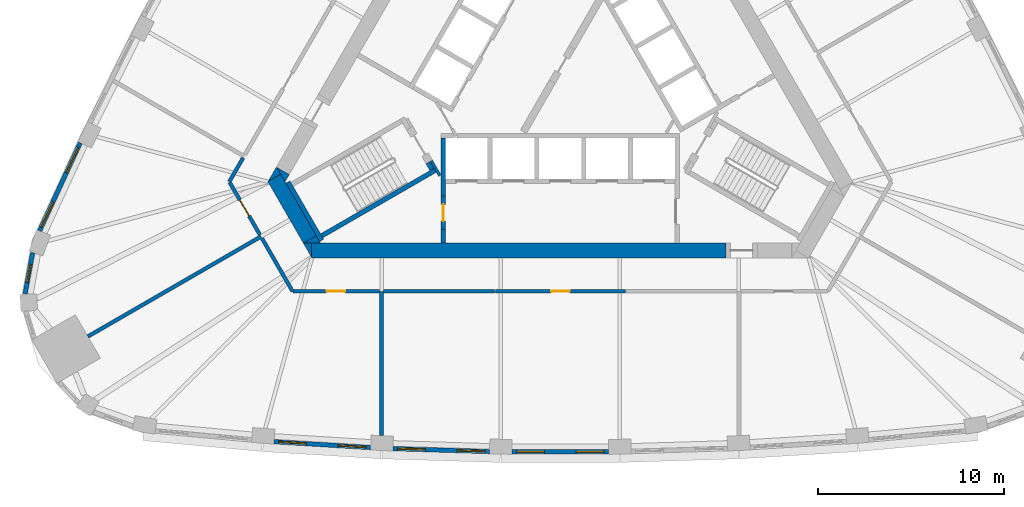
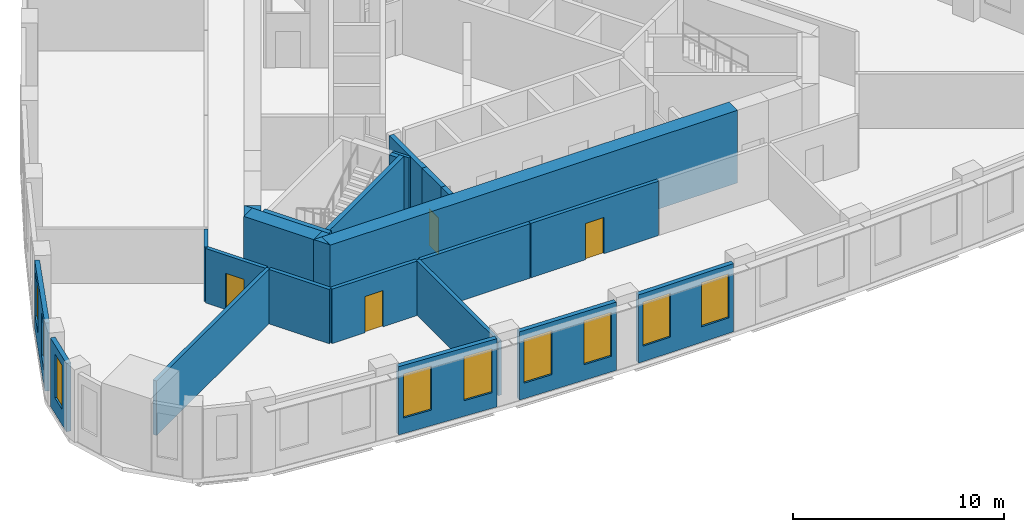
# One storey, part 3 of 9: 26 walls, 9 windows, 4 doors, 13 openings.
"""IFC4 building model written with IfcOpenShell, lengths in metres."""

from ifc_helpers import new_model, si_unit, direction, frame, frame_2d, origin, place, context, subcontext, project, spatial, polyline, rectangle, outline, extrude, material, layer, layer_set, type_object, element, fill, save


model = new_model("IFC4")

# Units and contexts
model_context = context("Model", 3, precision=1e-05, world=origin(), true_north=direction((0.0, 1.0)))
body_context = subcontext(model_context, "Body", "Model", "MODEL_VIEW")
ifc_project = project(units=[si_unit("LENGTHUNIT", "METRE"), si_unit("AREAUNIT", "SQUARE_METRE"), si_unit("VOLUMEUNIT", "CUBIC_METRE"), si_unit("PLANEANGLEUNIT", "RADIAN"), si_unit("MASSUNIT", "GRAM", prefix="KILO")], contexts=[model_context])

# Site, building, storey
site_placement = place(None, origin())
site = spatial("IfcSite", under=ifc_project, at=site_placement, CompositionType="ELEMENT")
building_placement = place(site_placement, origin())
building = spatial("IfcBuilding", under=site, at=building_placement, Name="Mestral Congress Tower", CompositionType="ELEMENT")
storey_placement = place(building_placement, frame((0.0, 0.0, 179.39990234375)))
storey = spatial("IfcBuildingStorey", under=building, at=storey_placement, Name="L42", CompositionType="ELEMENT", Elevation=179.39990234375)

# Walls
ifc_material_1 = material(Name="Concrete C60/75", Category="concrete")
ifc_layer_1 = layer(ifc_material_1, 0.800048828125)
ifc_layer_set_1 = layer_set([ifc_layer_1], Name="Concrete C60/75")
wall_type_1 = type_object("IfcWallType", Name="Core wall RC 800", PredefinedType="SOLIDWALL", material=ifc_layer_set_1)
wall_1_placement = place(storey_placement, frame((-13.377685546875, -10.050048828125, 0.0), z_axis=(0.0, 0.0, 1.0), x_axis=(1.0, 0.0, 0.0)))
element("IfcWall", 1, at=wall_1_placement, inside=storey, type_object=wall_type_1, Name="L42 core wall", PredefinedType="SOLIDWALL", context=body_context, shape_type="SweptSolid", body=[
    extrude(rectangle(XDim=22.281982421875, YDim=0.800048828125, at=frame_2d((11.14111328125, 0.0))), origin(), (0.0, 0.0, 1.0), 4.2001953125),
])
placement = place(storey_placement, origin())
element("IfcWall", 2, at=placement, inside=storey, type_object=wall_type_1, Name="L42 core wall", PredefinedType="SOLIDWALL", context=body_context, shape_type="SweptSolid", body=[
    extrude(outline(polyline([(-13.82763671875, -9.64990234375), (-13.379638671875, -9.64990234375), (-13.379638671875, -10.42578125), (-13.82763671875, -9.64990234375)])), origin(), (0.0, 0.0, 1.0), 4.2001953125),
])
wall_3_placement = place(storey_placement, frame((-15.392333984375, -6.1396484375, 0.0), z_axis=(0.0, 0.0, 1.0), x_axis=(0.499984020225, -0.866034629516, 0.0)))
element("IfcWall", 3, at=wall_3_placement, inside=storey, type_object=wall_type_1, Name="L42 core wall", PredefinedType="SOLIDWALL", context=body_context, shape_type="SweptSolid", body=[
    extrude(rectangle(XDim=3.824462890625, YDim=0.800048828125, at=frame_2d((1.912109375, 0.0))), origin(), (0.0, 0.0, 1.0), 4.2001953125),
])
element("IfcWall", 4, at=placement, inside=storey, type_object=wall_type_1, Name="L42 core wall", PredefinedType="SOLIDWALL", context=body_context, shape_type="SweptSolid", body=[
    extrude(outline(polyline([(-15.046875, -5.93798828125), (-15.718994140625, -6.325927734375), (-15.27099609375, -5.550048828125), (-15.046875, -5.93798828125)])), origin(), (0.0, 0.0, 1.0), 4.2001953125),
])
element("IfcWall", 5, at=placement, inside=storey, type_object=wall_type_1, Name="L42 core wall", PredefinedType="SOLIDWALL", context=body_context, shape_type="SweptSolid", body=[
    extrude(outline(polyline([(-12.90380859375, -9.64990234375), (-13.81982421875, -9.64990234375), (-13.1328125, -9.25341796875), (-12.90380859375, -9.64990234375)])), origin(), (0.0, 0.0, 1.0), 4.2001953125),
])
element("IfcWall", 6, at=placement, inside=storey, type_object=wall_type_1, Name="L42 core wall", PredefinedType="SOLIDWALL", context=body_context, shape_type="SweptSolid", body=[
    extrude(outline(polyline([(-14.80908203125, -6.35009765625), (-15.257080078125, -5.573974609375), (-14.5849609375, -5.9619140625), (-14.80908203125, -6.35009765625)])), origin(), (0.0, 0.0, 1.0), 4.2001953125),
])

# Wall, openings, windows
ifc_material_2 = material(Name="Precast concrete C40/50 with limestone facing", Category="masonry")
ifc_layer_2 = layer(ifc_material_2, 0.239990234375)
ifc_layer_set_2 = layer_set([ifc_layer_2], Name="Precast concrete C40/50 with limestone facing")
wall_type_2 = type_object("IfcWallType", Name="Facade stone wall 240", PredefinedType="SOLIDWALL", material=ifc_layer_set_2)
wall_7_placement = place(storey_placement, frame((-15.404541015625, -20.33837890625, 0.0), z_axis=(0.0, 0.0, 1.0), x_axis=(0.998135294646, -0.061040425794, 0.0)))
wall_7 = element("IfcWall", 7, at=wall_7_placement, inside=storey, type_object=wall_type_2, Name="Facade wall F0-01", PredefinedType="SOLIDWALL", context=body_context, shape_type="SweptSolid", body=[
    extrude(rectangle(XDim=5.20361328125, YDim=0.239990234375, at=frame_2d((2.601806640625, 0.0))), origin(), (0.0, 0.0, 1.0), 3.9501953125),
])
opening_1_placement = place(wall_7_placement, frame((0.248291015625, 0.0, 0.89990234375)))
opening_1 = element("IfcOpeningElement", 8, at=opening_1_placement, cuts=wall_7, Name="Opening W4", PredefinedType="OPENING", context=body_context, shape_type="SweptSolid", body=[
    extrude(rectangle(XDim=1.5, YDim=2.550048828125, at=frame_2d((0.75, 1.27490234375))), frame((0.0, 0.1298828125, 0.0), z_axis=(0.0, -1.0, 0.0), x_axis=(1.0, 0.0, 0.0)), (0.0, 0.0, 1.0), 0.260009765625),
])
opening_2_placement = place(wall_7_placement, frame((3.455078125, 0.0, 0.89990234375)))
opening_2 = element("IfcOpeningElement", 9, at=opening_2_placement, cuts=wall_7, Name="Opening W4", PredefinedType="OPENING", context=body_context, shape_type="SweptSolid", body=[
    extrude(rectangle(XDim=1.5, YDim=2.550048828125, at=frame_2d((0.75, 1.27490234375))), frame((0.0, 0.1298828125, 0.0), z_axis=(0.0, -1.0, 0.0), x_axis=(1.0, 0.0, 0.0)), (0.0, 0.0, 1.0), 0.260009765625),
])
ifc_material_3 = material(Name="Clear low-emissivity double glazing", Category="glass")
window_type_1 = type_object("IfcWindowType", Name="Facade punched window 1500 x 2550 sill 900", PartitioningType="SINGLE_PANEL", PredefinedType="WINDOW", material=ifc_material_3)
window_1_placement = place(opening_1_placement, origin())
window_1 = element("IfcWindow", 10, at=window_1_placement, inside=storey, type_object=window_type_1, Name="Window F0-01a", OverallHeight=2.550048828125, OverallWidth=1.5, PartitioningType="SINGLE_PANEL", PredefinedType="WINDOW", context=body_context, shape_type="SweptSolid", body=[
    extrude(rectangle(XDim=1.5, YDim=2.550048828125, at=frame_2d((0.75, 1.27490234375))), frame((0.0, 0.0400390625, 0.0), z_axis=(0.0, -1.0, 0.0), x_axis=(1.0, 0.0, 0.0)), (0.0, 0.0, 1.0), 0.06005859375),
])
fill(opening_1, window_1)
window_2_placement = place(opening_2_placement, origin())
window_2 = element("IfcWindow", 11, at=window_2_placement, inside=storey, type_object=window_type_1, Name="Window F0-01b", OverallHeight=2.550048828125, OverallWidth=1.5, PartitioningType="SINGLE_PANEL", PredefinedType="WINDOW", context=body_context, shape_type="SweptSolid", body=[
    extrude(rectangle(XDim=1.5, YDim=2.550048828125, at=frame_2d((0.75, 1.27490234375))), frame((0.0, 0.0400390625, 0.0), z_axis=(0.0, -1.0, 0.0), x_axis=(1.0, 0.0, 0.0)), (0.0, 0.0, 1.0), 0.06005859375),
])
fill(opening_2, window_2)

wall_8_placement = place(storey_placement, frame((-9.00732421875, -20.7109375, 0.0), z_axis=(0.0, 0.0, 1.0), x_axis=(0.999533441983, -0.030543384845, 0.0)))
wall_8 = element("IfcWall", 12, at=wall_8_placement, inside=storey, type_object=wall_type_2, Name="Facade wall F0-02", PredefinedType="SOLIDWALL", context=body_context, shape_type="SweptSolid", body=[
    extrude(rectangle(XDim=5.20361328125, YDim=0.239990234375, at=frame_2d((2.601806640625, 0.0))), origin(), (0.0, 0.0, 1.0), 3.9501953125),
])
opening_3_placement = place(wall_8_placement, frame((0.248291015625, 0.0, 0.89990234375)))
opening_3 = element("IfcOpeningElement", 13, at=opening_3_placement, cuts=wall_8, Name="Opening W4", PredefinedType="OPENING", context=body_context, shape_type="SweptSolid", body=[
    extrude(rectangle(XDim=1.5, YDim=2.550048828125, at=frame_2d((0.75, 1.27490234375))), frame((0.0, 0.1298828125, 0.0), z_axis=(0.0, -1.0, 0.0), x_axis=(1.0, 0.0, 0.0)), (0.0, 0.0, 1.0), 0.260009765625),
])
opening_4_placement = place(wall_8_placement, frame((3.455078125, 0.0, 0.89990234375)))
opening_4 = element("IfcOpeningElement", 14, at=opening_4_placement, cuts=wall_8, Name="Opening W4", PredefinedType="OPENING", context=body_context, shape_type="SweptSolid", body=[
    extrude(rectangle(XDim=1.5, YDim=2.550048828125, at=frame_2d((0.75, 1.27490234375))), frame((0.0, 0.1298828125, 0.0), z_axis=(0.0, -1.0, 0.0), x_axis=(1.0, 0.0, 0.0)), (0.0, 0.0, 1.0), 0.260009765625),
])
window_3_placement = place(opening_3_placement, origin())
window_3 = element("IfcWindow", 15, at=window_3_placement, inside=storey, type_object=window_type_1, Name="Window F0-02a", OverallHeight=2.550048828125, OverallWidth=1.5, PartitioningType="SINGLE_PANEL", PredefinedType="WINDOW", context=body_context, shape_type="SweptSolid", body=[
    extrude(rectangle(XDim=1.5, YDim=2.550048828125, at=frame_2d((0.75, 1.27490234375))), frame((0.0, 0.0400390625, 0.0), z_axis=(0.0, -1.0, 0.0), x_axis=(1.0, 0.0, 0.0)), (0.0, 0.0, 1.0), 0.06005859375),
])
fill(opening_3, window_3)
window_4_placement = place(opening_4_placement, origin())
window_4 = element("IfcWindow", 16, at=window_4_placement, inside=storey, type_object=window_type_1, Name="Window F0-02b", OverallHeight=2.550048828125, OverallWidth=1.5, PartitioningType="SINGLE_PANEL", PredefinedType="WINDOW", context=body_context, shape_type="SweptSolid", body=[
    extrude(rectangle(XDim=1.5, YDim=2.550048828125, at=frame_2d((0.75, 1.27490234375))), frame((0.0, 0.0400390625, 0.0), z_axis=(0.0, -1.0, 0.0), x_axis=(1.0, 0.0, 0.0)), (0.0, 0.0, 1.0), 0.06005859375),
])
fill(opening_4, window_4)

wall_9_placement = place(storey_placement, frame((-2.601806640625, -20.88818359375, 0.0), z_axis=(0.0, 0.0, 1.0), x_axis=(1.0, 0.0, 0.0)))
wall_9 = element("IfcWall", 17, at=wall_9_placement, inside=storey, type_object=wall_type_2, Name="Facade wall F0-03", PredefinedType="SOLIDWALL", context=body_context, shape_type="SweptSolid", body=[
    extrude(rectangle(XDim=5.20361328125, YDim=0.239990234375, at=frame_2d((2.601806640625, 0.0))), origin(), (0.0, 0.0, 1.0), 3.9501953125),
])
opening_5_placement = place(wall_9_placement, frame((0.248291015625, 0.0, 0.89990234375)))
opening_5 = element("IfcOpeningElement", 18, at=opening_5_placement, cuts=wall_9, Name="Opening W4", PredefinedType="OPENING", context=body_context, shape_type="SweptSolid", body=[
    extrude(rectangle(XDim=1.5, YDim=2.550048828125, at=frame_2d((0.75, 1.27490234375))), frame((0.0, 0.1298828125, 0.0), z_axis=(0.0, -1.0, 0.0), x_axis=(1.0, 0.0, 0.0)), (0.0, 0.0, 1.0), 0.260009765625),
])
opening_6_placement = place(wall_9_placement, frame((3.455078125, 0.0, 0.89990234375)))
opening_6 = element("IfcOpeningElement", 19, at=opening_6_placement, cuts=wall_9, Name="Opening W4", PredefinedType="OPENING", context=body_context, shape_type="SweptSolid", body=[
    extrude(rectangle(XDim=1.5, YDim=2.550048828125, at=frame_2d((0.75, 1.27490234375))), frame((0.0, 0.1298828125, 0.0), z_axis=(0.0, -1.0, 0.0), x_axis=(1.0, 0.0, 0.0)), (0.0, 0.0, 1.0), 0.260009765625),
])
window_5_placement = place(opening_5_placement, origin())
window_5 = element("IfcWindow", 20, at=window_5_placement, inside=storey, type_object=window_type_1, Name="Window F0-03a", OverallHeight=2.550048828125, OverallWidth=1.5, PartitioningType="SINGLE_PANEL", PredefinedType="WINDOW", context=body_context, shape_type="SweptSolid", body=[
    extrude(rectangle(XDim=1.5, YDim=2.550048828125, at=frame_2d((0.75, 1.27490234375))), frame((0.0, 0.0400390625, 0.0), z_axis=(0.0, -1.0, 0.0), x_axis=(1.0, 0.0, 0.0)), (0.0, 0.0, 1.0), 0.06005859375),
])
fill(opening_5, window_5)
window_6_placement = place(opening_6_placement, origin())
window_6 = element("IfcWindow", 21, at=window_6_placement, inside=storey, type_object=window_type_1, Name="Window F0-03b", OverallHeight=2.550048828125, OverallWidth=1.5, PartitioningType="SINGLE_PANEL", PredefinedType="WINDOW", context=body_context, shape_type="SweptSolid", body=[
    extrude(rectangle(XDim=1.5, YDim=2.550048828125, at=frame_2d((0.75, 1.27490234375))), frame((0.0, 0.0400390625, 0.0), z_axis=(0.0, -1.0, 0.0), x_axis=(1.0, 0.0, 0.0)), (0.0, 0.0, 1.0), 0.06005859375),
])
fill(opening_6, window_6)

wall_10_placement = place(storey_placement, frame((-25.8369140625, -4.2578125, 0.0), z_axis=(0.0, 0.0, 1.0), x_axis=(-0.418722559465, -0.908114209885, 0.0)))
wall_10 = element("IfcWall", 22, at=wall_10_placement, inside=storey, type_object=wall_type_2, Name="Facade wall F2-06", PredefinedType="SOLIDWALL", context=body_context, shape_type="SweptSolid", body=[
    extrude(rectangle(XDim=5.213134765625, YDim=0.239990234375, at=frame_2d((2.6064453125, 0.0))), origin(), (0.0, 0.0, 1.0), 3.9501953125),
])
opening_7_placement = place(wall_10_placement, frame((0.2607421875, 0.0, 0.89990234375)))
opening_7 = element("IfcOpeningElement", 23, at=opening_7_placement, cuts=wall_10, Name="Opening W4", PredefinedType="OPENING", context=body_context, shape_type="SweptSolid", body=[
    extrude(rectangle(XDim=1.5, YDim=2.550048828125, at=frame_2d((0.75, 1.27490234375))), frame((0.0, 0.1298828125, 0.0), z_axis=(0.0, -1.0, 0.0), x_axis=(1.0, 0.0, 0.0)), (0.0, 0.0, 1.0), 0.260009765625),
])
opening_8_placement = place(wall_10_placement, frame((3.492431640625, 0.0, 0.89990234375)))
opening_8 = element("IfcOpeningElement", 24, at=opening_8_placement, cuts=wall_10, Name="Opening W4", PredefinedType="OPENING", context=body_context, shape_type="SweptSolid", body=[
    extrude(rectangle(XDim=1.5, YDim=2.550048828125, at=frame_2d((0.75, 1.27490234375))), frame((0.0, 0.1298828125, 0.0), z_axis=(0.0, -1.0, 0.0), x_axis=(1.0, 0.0, 0.0)), (0.0, 0.0, 1.0), 0.260009765625),
])
window_7_placement = place(opening_7_placement, origin())
window_7 = element("IfcWindow", 25, at=window_7_placement, inside=storey, type_object=window_type_1, Name="Window F2-06a", OverallHeight=2.550048828125, OverallWidth=1.5, PartitioningType="SINGLE_PANEL", PredefinedType="WINDOW", context=body_context, shape_type="SweptSolid", body=[
    extrude(rectangle(XDim=1.5, YDim=2.550048828125, at=frame_2d((0.75, 1.27490234375))), frame((0.0, 0.0400390625, 0.0), z_axis=(0.0, -1.0, 0.0), x_axis=(1.0, 0.0, 0.0)), (0.0, 0.0, 1.0), 0.06005859375),
])
fill(opening_7, window_7)
window_8_placement = place(opening_8_placement, origin())
window_8 = element("IfcWindow", 26, at=window_8_placement, inside=storey, type_object=window_type_1, Name="Window F2-06b", OverallHeight=2.550048828125, OverallWidth=1.5, PartitioningType="SINGLE_PANEL", PredefinedType="WINDOW", context=body_context, shape_type="SweptSolid", body=[
    extrude(rectangle(XDim=1.5, YDim=2.550048828125, at=frame_2d((0.75, 1.27490234375))), frame((0.0, 0.0400390625, 0.0), z_axis=(0.0, -1.0, 0.0), x_axis=(1.0, 0.0, 0.0)), (0.0, 0.0, 1.0), 0.06005859375),
])
fill(opening_8, window_8)

# Wall, opening, window
wall_11_placement = place(storey_placement, frame((-28.392578125, -10.166748046875, 0.0), z_axis=(0.0, 0.0, 1.0), x_axis=(-0.180737189259, -0.983531427265, 0.0)))
wall_11 = element("IfcWall", 27, at=wall_11_placement, inside=storey, type_object=wall_type_2, Name="Facade wall K2-0", PredefinedType="SOLIDWALL", context=body_context, shape_type="SweptSolid", body=[
    extrude(rectangle(XDim=2.25048828125, YDim=0.239990234375, at=frame_2d((1.125244140625, 0.0))), origin(), (0.0, 0.0, 1.0), 3.9501953125),
])
opening_9_placement = place(wall_11_placement, frame((0.625244140625, 0.0, 0.89990234375)))
opening_9 = element("IfcOpeningElement", 28, at=opening_9_placement, cuts=wall_11, Name="Opening W5", PredefinedType="OPENING", context=body_context, shape_type="SweptSolid", body=[
    extrude(rectangle(XDim=1.0, YDim=2.550048828125, at=frame_2d((0.5, 1.27490234375))), frame((0.0, 0.1298828125, 0.0), z_axis=(0.0, -1.0, 0.0), x_axis=(1.0, 0.0, 0.0)), (0.0, 0.0, 1.0), 0.260009765625),
])
window_type_2 = type_object("IfcWindowType", Name="Facade punched window 1000 x 2550 sill 900", PartitioningType="SINGLE_PANEL", PredefinedType="WINDOW", material=ifc_material_3)
window_9_placement = place(opening_9_placement, origin())
window_9 = element("IfcWindow", 29, at=window_9_placement, inside=storey, type_object=window_type_2, Name="Window K2-0", OverallHeight=2.550048828125, OverallWidth=1.0, PartitioningType="SINGLE_PANEL", PredefinedType="WINDOW", context=body_context, shape_type="SweptSolid", body=[
    extrude(rectangle(XDim=1.0, YDim=2.550048828125, at=frame_2d((0.5, 1.27490234375))), frame((0.0, 0.0400390625, 0.0), z_axis=(0.0, -1.0, 0.0), x_axis=(1.0, 0.0, 0.0)), (0.0, 0.0, 1.0), 0.06005859375),
])
fill(opening_9, window_9)

# Wall
ifc_material_4 = material(Name="Dense masonry wall, plastered", Category="masonry")
ifc_layer_3 = layer(ifc_material_4, 0.199951171875)
ifc_layer_set_3 = layer_set([ifc_layer_3], Name="Dense masonry wall, plastered")
wall_type_3 = type_object("IfcWallType", Name="Office tenancy wall 200", PredefinedType="PARTITIONING", material=ifc_layer_set_3)
wall_12_placement = place(storey_placement, frame((-9.6171875, -20.011474609375, 0.0), z_axis=(0.0, 0.0, 1.0), x_axis=(0.0, 1.0, 0.0)))
element("IfcWall", 30, at=wall_12_placement, inside=storey, type_object=wall_type_3, Name="Tenancy wall", PredefinedType="PARTITIONING", context=body_context, shape_type="SweptSolid", body=[
    extrude(rectangle(XDim=7.761474609375, YDim=0.199951171875, at=frame_2d((3.880859375, 0.0))), origin(), (0.0, 0.0, 1.0), 3.150146484375),
])

# Wall, opening, door
wall_13_placement = place(storey_placement, frame((-3.5, -12.25, 0.0), z_axis=(0.0, 0.0, 1.0), x_axis=(1.0, 0.0, 0.0)))
wall_13 = element("IfcWall", 31, at=wall_13_placement, inside=storey, type_object=wall_type_3, Name="Tenancy wall", PredefinedType="PARTITIONING", context=body_context, shape_type="SweptSolid", body=[
    extrude(rectangle(XDim=7.0, YDim=0.199951171875, at=frame_2d((3.5, 0.0))), origin(), (0.0, 0.0, 1.0), 3.150146484375),
])
opening_10_placement = place(wall_13_placement, frame((3.0, 0.0, 0.0)))
opening_10 = element("IfcOpeningElement", 32, at=opening_10_placement, cuts=wall_13, Name="Opening O04-001", PredefinedType="OPENING", context=body_context, shape_type="SweptSolid", body=[
    extrude(rectangle(XDim=1.0, YDim=2.10009765625, at=frame_2d((0.5, 1.050048828125))), frame((0.0, 0.10986328125, 0.0), z_axis=(0.0, -1.0, 0.0), x_axis=(1.0, 0.0, 0.0)), (0.0, 0.0, 1.0), 0.219970703125),
])
ifc_material_5 = material(Name="Fire-rated timber door set", Category="wood")
door_type_1 = type_object("IfcDoorType", Name="Office tenancy entrance door 1000x2100", OperationType="SINGLE_SWING_LEFT", PredefinedType="DOOR", material=ifc_material_5)
door_1_placement = place(opening_10_placement, origin())
door_1 = element("IfcDoor", 33, at=door_1_placement, inside=storey, type_object=door_type_1, Name="Door O04-001", OperationType="SINGLE_SWING_RIGHT", OverallHeight=2.10009765625, OverallWidth=1.0, PredefinedType="DOOR", context=body_context, shape_type="SweptSolid", body=[
    extrude(rectangle(XDim=1.0, YDim=2.10009765625, at=frame_2d((0.5, 1.050048828125))), frame((0.0, 0.02490234375, 0.0), z_axis=(0.0, -1.0, 0.0), x_axis=(1.0, 0.0, 0.0)), (0.0, 0.0, 1.0), 0.050048828125),
])
fill(opening_10, door_1)

# Walls
wall_14_placement = place(storey_placement, frame((-9.51708984375, -12.25, 0.0), z_axis=(0.0, 0.0, 1.0), x_axis=(1.0, 0.0, 0.0)))
element("IfcWall", 34, at=wall_14_placement, inside=storey, type_object=wall_type_3, Name="Tenancy wall", PredefinedType="PARTITIONING", context=body_context, shape_type="SweptSolid", body=[
    extrude(rectangle(XDim=5.987060546875, YDim=0.199951171875, at=frame_2d((2.99365234375, 0.0))), origin(), (0.0, 0.0, 1.0), 3.150146484375),
])
wall_15_placement = place(storey_placement, frame((-16.108154296875, -9.300048828125, 0.0), z_axis=(0.0, 0.0, 1.0), x_axis=(-0.866027180319, -0.499996922939, 0.0)))
element("IfcWall", 35, at=wall_15_placement, inside=storey, type_object=wall_type_3, Name="Tenancy wall", PredefinedType="PARTITIONING", context=body_context, shape_type="SweptSolid", body=[
    extrude(rectangle(XDim=10.75390625, YDim=0.199951171875, at=frame_2d((5.376953125, 0.0))), origin(), (0.0, 0.0, 1.0), 3.150146484375),
])
wall_16_placement = place(storey_placement, frame((-17.06787109375, -5.062255859375, 0.0), z_axis=(0.0, 0.0, 1.0), x_axis=(-0.499935638681, -0.86606255962, 0.0)))
element("IfcWall", 36, at=wall_16_placement, inside=storey, type_object=wall_type_3, Name="Tenancy wall", PredefinedType="PARTITIONING", context=body_context, shape_type="SweptSolid", body=[
    extrude(rectangle(XDim=1.487060546875, YDim=0.199951171875, at=frame_2d((0.74365234375, 0.0))), origin(), (0.0, 0.0, 1.0), 3.150146484375),
])

# Wall, opening, door
wall_17_placement = place(storey_placement, frame((-17.79638671875, -6.3759765625, 0.0), z_axis=(0.0, 0.0, 1.0), x_axis=(0.500001965626, -0.866024268927, 0.0)))
wall_17 = element("IfcWall", 37, at=wall_17_placement, inside=storey, type_object=wall_type_3, Name="Tenancy wall", PredefinedType="PARTITIONING", context=body_context, shape_type="SweptSolid", body=[
    extrude(rectangle(XDim=3.2763671875, YDim=0.199951171875, at=frame_2d((1.63818359375, 0.0))), origin(), (0.0, 0.0, 1.0), 3.150146484375),
])
opening_11_placement = place(wall_17_placement, frame((1.10009765625, 0.0, 0.0)))
opening_11 = element("IfcOpeningElement", 38, at=opening_11_placement, cuts=wall_17, Name="Opening O04-009", PredefinedType="OPENING", context=body_context, shape_type="SweptSolid", body=[
    extrude(rectangle(XDim=1.0, YDim=2.10009765625, at=frame_2d((0.5, 1.050048828125))), frame((0.0, 0.10986328125, 0.0), z_axis=(0.0, -1.0, 0.0), x_axis=(1.0, 0.0, 0.0)), (0.0, 0.0, 1.0), 0.219970703125),
])
door_2_placement = place(opening_11_placement, origin())
door_2 = element("IfcDoor", 39, at=door_2_placement, inside=storey, type_object=door_type_1, Name="Door O04-009", OperationType="SINGLE_SWING_LEFT", OverallHeight=2.10009765625, OverallWidth=1.0, PredefinedType="DOOR", context=body_context, shape_type="SweptSolid", body=[
    extrude(rectangle(XDim=1.0, YDim=2.10009765625, at=frame_2d((0.5, 1.050048828125))), frame((0.0, 0.02490234375, 0.0), z_axis=(0.0, -1.0, 0.0), x_axis=(1.0, 0.0, 0.0)), (0.0, 0.0, 1.0), 0.050048828125),
])
fill(opening_11, door_2)

# Wall
wall_18_placement = place(storey_placement, frame((-16.05810546875, -9.38671875, 0.0), z_axis=(0.0, 0.0, 1.0), x_axis=(0.500046299512, -0.865998671098, 0.0)))
element("IfcWall", 40, at=wall_18_placement, inside=storey, type_object=wall_type_3, Name="Tenancy wall", PredefinedType="PARTITIONING", context=body_context, shape_type="SweptSolid", body=[
    extrude(rectangle(XDim=3.306396484375, YDim=0.199951171875, at=frame_2d((1.6533203125, 0.0))), origin(), (0.0, 0.0, 1.0), 3.150146484375),
])

# Wall, opening, door
wall_19_placement = place(storey_placement, frame((-14.375, -12.25, 0.0), z_axis=(0.0, 0.0, 1.0), x_axis=(1.0, 0.0, 0.0)))
wall_19 = element("IfcWall", 41, at=wall_19_placement, inside=storey, type_object=wall_type_3, Name="Tenancy wall", PredefinedType="PARTITIONING", context=body_context, shape_type="SweptSolid", body=[
    extrude(rectangle(XDim=4.65771484375, YDim=0.199951171875, at=frame_2d((2.328857421875, 0.0))), origin(), (0.0, 0.0, 1.0), 3.150146484375),
])
opening_12_placement = place(wall_19_placement, frame((1.800048828125, 0.0, 0.0)))
opening_12 = element("IfcOpeningElement", 42, at=opening_12_placement, cuts=wall_19, Name="Opening O04-010", PredefinedType="OPENING", context=body_context, shape_type="SweptSolid", body=[
    extrude(rectangle(XDim=1.0, YDim=2.10009765625, at=frame_2d((0.5, 1.050048828125))), frame((0.0, 0.10986328125, 0.0), z_axis=(0.0, -1.0, 0.0), x_axis=(1.0, 0.0, 0.0)), (0.0, 0.0, 1.0), 0.219970703125),
])
door_3_placement = place(opening_12_placement, origin())
door_3 = element("IfcDoor", 43, at=door_3_placement, inside=storey, type_object=door_type_1, Name="Door O04-010", OperationType="SINGLE_SWING_LEFT", OverallHeight=2.10009765625, OverallWidth=1.0, PredefinedType="DOOR", context=body_context, shape_type="SweptSolid", body=[
    extrude(rectangle(XDim=1.0, YDim=2.10009765625, at=frame_2d((0.5, 1.050048828125))), frame((0.0, 0.02490234375, 0.0), z_axis=(0.0, -1.0, 0.0), x_axis=(1.0, 0.0, 0.0)), (0.0, 0.0, 1.0), 0.050048828125),
])
fill(opening_12, door_3)

# Walls
ifc_layer_4 = layer(ifc_material_1, 0.25)
ifc_layer_set_4 = layer_set([ifc_layer_4], Name="Concrete C60/75")
wall_type_4 = type_object("IfcWallType", Name="Shaft wall RC 250", PredefinedType="SOLIDWALL", material=ifc_layer_set_4)
wall_20_placement = place(storey_placement, frame((-6.300048828125, -8.9248046875, 0.0), z_axis=(0.0, 0.0, 1.0), x_axis=(0.0, -1.0, 0.0)))
element("IfcWall", 44, at=wall_20_placement, inside=storey, type_object=wall_type_4, Name="L42 core wall", PredefinedType="SOLIDWALL", context=body_context, shape_type="SweptSolid", body=[
    extrude(rectangle(XDim=0.72509765625, YDim=0.25, at=frame_2d((0.362548828125, 0.0))), origin(), (0.0, 0.0, 1.0), 4.2001953125),
])
wall_21_placement = place(storey_placement, frame((-6.300048828125, -7.12451171875, 0.0), z_axis=(0.0, 0.0, 1.0), x_axis=(0.0, 1.0, 0.0)))
element("IfcWall", 45, at=wall_21_placement, inside=storey, type_object=wall_type_4, Name="L42 core wall", PredefinedType="SOLIDWALL", context=body_context, shape_type="SweptSolid", body=[
    extrude(rectangle(XDim=3.12451171875, YDim=0.25, at=frame_2d((1.562255859375, 0.0))), origin(), (0.0, 0.0, 1.0), 4.2001953125),
])

# Wall, opening, door
wall_22_placement = place(storey_placement, frame((-6.300048828125, -7.12451171875, 0.0), z_axis=(0.0, 0.0, 1.0), x_axis=(0.0, -1.0, 0.0)))
wall_22 = element("IfcWall", 46, at=wall_22_placement, inside=storey, type_object=wall_type_4, Name="L42 door wall", PredefinedType="SOLIDWALL", context=body_context, shape_type="SweptSolid", body=[
    extrude(rectangle(XDim=1.800048828125, YDim=0.25, at=frame_2d((0.89990234375, 0.0))), origin(), (0.0, 0.0, 1.0), 4.2001953125),
])
opening_13_placement = place(wall_22_placement, frame((0.449951171875, 0.0, 0.0)))
opening_13 = element("IfcOpeningElement", 47, at=opening_13_placement, cuts=wall_22, Name="Opening TD3", PredefinedType="OPENING", context=body_context, shape_type="SweptSolid", body=[
    extrude(rectangle(XDim=0.89990234375, YDim=2.10009765625, at=frame_2d((0.449951171875, 1.050048828125))), frame((0.0, 0.135009765625, 0.0), z_axis=(0.0, -1.0, 0.0), x_axis=(1.0, 0.0, 0.0)), (0.0, 0.0, 1.0), 0.27001953125),
])
ifc_material_6 = material(Name="Fire-rated steel door set", Category="steel")
door_type_2 = type_object("IfcDoorType", Name="Core door SR 900x2100", OperationType="SINGLE_SWING_LEFT", PredefinedType="DOOR", material=ifc_material_6)
door_4_placement = place(opening_13_placement, origin())
door_4 = element("IfcDoor", 48, at=door_4_placement, inside=storey, type_object=door_type_2, Name="Door TD3", OperationType="SINGLE_SWING_LEFT", OverallHeight=2.10009765625, OverallWidth=0.89990234375, PredefinedType="DOOR", context=body_context, shape_type="SweptSolid", body=[
    extrude(rectangle(XDim=0.89990234375, YDim=2.10009765625, at=frame_2d((0.449951171875, 1.050048828125))), frame((0.0, 0.02490234375, 0.0), z_axis=(0.0, -1.0, 0.0), x_axis=(1.0, 0.0, 0.0)), (0.0, 0.0, 1.0), 0.050048828125),
])
fill(opening_13, door_4)

# Walls
ifc_layer_5 = layer(ifc_material_1, 0.14990234375)
ifc_layer_set_5 = layer_set([ifc_layer_5], Name="Concrete C60/75")
wall_type_5 = type_object("IfcWallType", Name="Shaft wall RC 250 door-wall 150", PredefinedType="SOLIDWALL", material=ifc_layer_set_5)
wall_23_placement = place(storey_placement, frame((-6.48046875, -6.026611328125, 0.0), z_axis=(0.0, 0.0, 1.0), x_axis=(-0.499927229454, 0.866067413802, 0.0)))
element("IfcWall", 49, at=wall_23_placement, inside=storey, type_object=wall_type_5, Name="L42 core wall", PredefinedType="PARTITIONING", context=body_context, shape_type="SweptSolid", body=[
    extrude(rectangle(XDim=0.928955078125, YDim=0.14990234375, at=frame_2d((0.46435546875, 0.0))), origin(), (0.0, 0.0, 1.0), 4.2001953125),
])
ifc_layer_6 = layer(ifc_material_1, 0.25)
ifc_layer_set_6 = layer_set([ifc_layer_6], Name="Concrete C60/75")
wall_type_6 = type_object("IfcWallType", Name="Stair wall RC 250", PredefinedType="SOLIDWALL", material=ifc_layer_set_6)
wall_24_placement = place(storey_placement, frame((-12.839599609375, -9.510986328125, 0.0), z_axis=(0.0, 0.0, 1.0), x_axis=(-0.499997733992, 0.866026712061, 0.0)))
element("IfcWall", 50, at=wall_24_placement, inside=storey, type_object=wall_type_6, Name="L42 core wall", PredefinedType="SOLIDWALL", context=body_context, shape_type="SweptSolid", body=[
    extrude(rectangle(XDim=3.6337890625, YDim=0.25, at=frame_2d((1.81689453125, 0.0))), origin(), (0.0, 0.0, 1.0), 4.2001953125),
])
wall_25_placement = place(storey_placement, frame((-12.83984375, -9.2607421875, 0.0), z_axis=(0.0, 0.0, 1.0), x_axis=(0.866016039709, 0.500016218704, 0.0)))
element("IfcWall", 51, at=wall_25_placement, inside=storey, type_object=wall_type_6, Name="L42 core wall", PredefinedType="SOLIDWALL", context=body_context, shape_type="SweptSolid", body=[
    extrude(rectangle(XDim=7.050048828125, YDim=0.25, at=frame_2d((3.52490234375, 0.0))), origin(), (0.0, 0.0, 1.0), 4.2001953125),
])
wall_26_placement = place(storey_placement, frame((-6.905029296875, -5.68994140625, 0.0), z_axis=(0.0, 0.0, 1.0), x_axis=(-0.500402024738, 0.865793170242, 0.0)))
element("IfcWall", 52, at=wall_26_placement, inside=storey, type_object=wall_type_6, Name="L42 core wall", PredefinedType="SOLIDWALL", context=body_context, shape_type="SweptSolid", body=[
    extrude(rectangle(XDim=0.425048828125, YDim=0.25, at=frame_2d((0.21240234375, 0.0))), origin(), (0.0, 0.0, 1.0), 4.2001953125),
])

save(model, "model.ifc")
